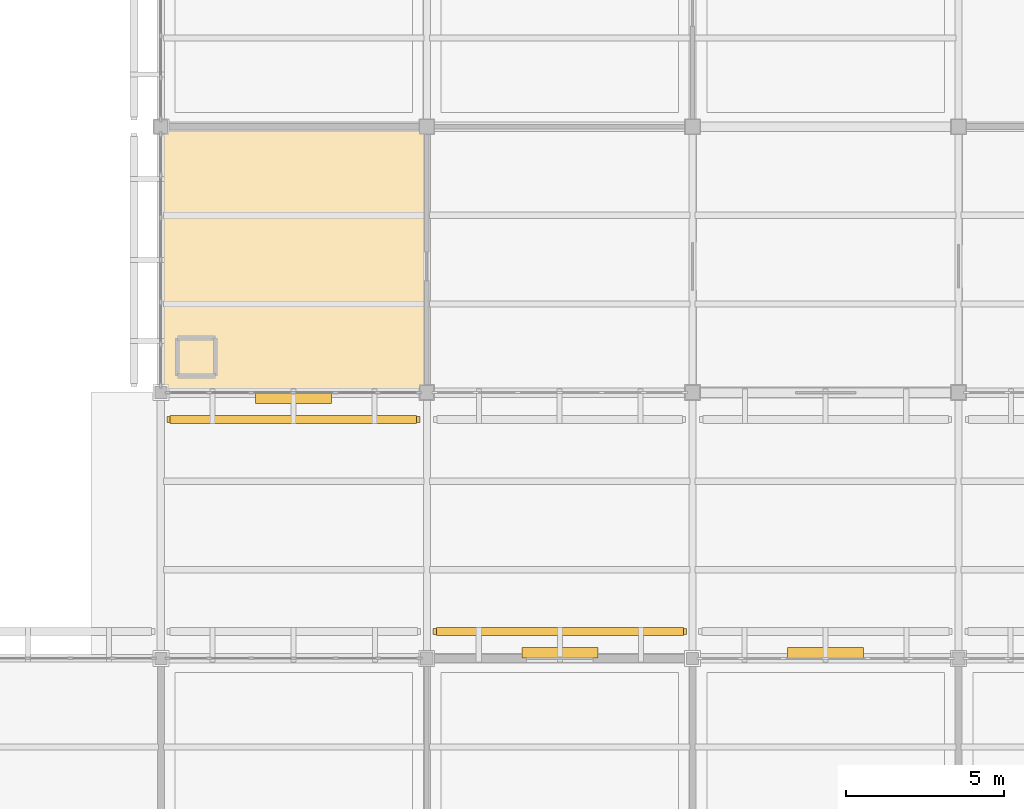
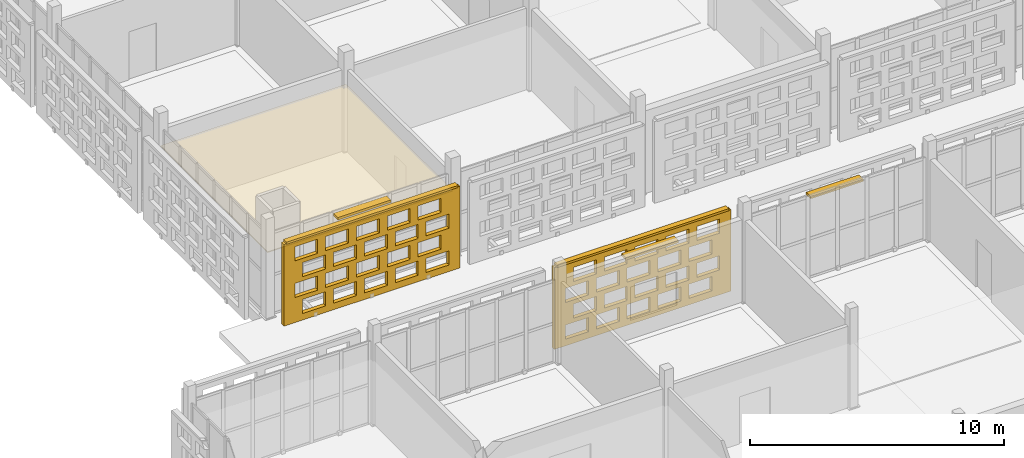
# One storey, part 190 of 203: 5 shading devices, 3 coverings, 40 openings.
"""IFC4 building model written with IfcOpenShell, lengths in metres."""

from ifc_helpers import new_model, si_unit, direction, frame, frame_2d, origin, origin_2d, place, context, subcontext, project, spatial, rectangle, extrude, material, layer, layer_set, type_object, element, save


model = new_model("IFC4")

# Units and contexts
model_context = context("Model", 3, precision=1e-05, world=origin(), true_north=direction((0.0, 1.0)))
body_context = subcontext(model_context, "Body", "Model", "MODEL_VIEW")
ifc_project = project(units=[si_unit("LENGTHUNIT", "METRE"), si_unit("AREAUNIT", "SQUARE_METRE"), si_unit("VOLUMEUNIT", "CUBIC_METRE"), si_unit("PLANEANGLEUNIT", "RADIAN"), si_unit("MASSUNIT", "GRAM", prefix="KILO")], contexts=[model_context])

# Site, building, storey
site_placement = place(None, origin())
site = spatial("IfcSite", under=ifc_project, at=site_placement, CompositionType="ELEMENT")
building_placement = place(site_placement, origin())
building = spatial("IfcBuilding", under=site, at=building_placement, Name="Varnapada Polytechnic", CompositionType="ELEMENT")
storey_placement = place(building_placement, frame((0.0, 0.0, 4.800048828125)))
storey = spatial("IfcBuildingStorey", under=building, at=storey_placement, Name="L01", CompositionType="ELEMENT", Elevation=4.800048828125)

# Shading devices
ifc_material_1 = material(Name="Anodised aluminium", Category="aluminium")
ifc_layer_1 = layer(ifc_material_1, 0.35009765625)
ifc_layer_set_1 = layer_set([ifc_layer_1], Name="Anodised aluminium")
shading_device_type_1 = type_object("IfcShadingDeviceType", Name="Solar Louvre LVR-01", PredefinedType="JALOUSIE", material=ifc_layer_set_1)
for number, where, z_axis, x_axis, name in (
    (1, (138.5849609375, 58.6201171875, 3.760009765625), (0.0, 0.0, 1.0), (-1.0, 0.0, 0.0), "L01 aluminium sun louvre 115"),
    (2, (147.0048828125, 50.580078125, 3.760009765625), (0.0, 0.0, 1.0), (1.0, 0.0, 0.0), "L01 aluminium sun louvre 121"),
    (3, (155.39501953125, 50.580078125, 3.760009765625), (0.0, 0.0, 1.0), (1.0, 0.0, 0.0), "L01 aluminium sun louvre 127"),
):
    element("IfcShadingDevice", number, at=place(storey_placement, frame(where, z_axis=z_axis, x_axis=x_axis)), inside=storey, type_object=shading_device_type_1, Name=name, PredefinedType="JALOUSIE", context=body_context, shape_type="SweptSolid", body=[
        extrude(rectangle(XDim=2.39990234375, YDim=0.340087890625, at=origin_2d()), origin(), (0.0, 0.0, 1.0), 0.1201171875),
    ])

# Covering
ifc_material_2 = material(Name="Micro-Perforated Gypsum Acoustic Ceiling")
ifc_layer_2 = layer(ifc_material_2, 0.044921875)
ifc_layer_set_2 = layer_set([ifc_layer_2], Name="Micro-Perforated Gypsum Acoustic Ceiling")
covering_type_1 = type_object("IfcCoveringType", Name="Suspended Ceiling CLG-04", PredefinedType="CEILING", material=ifc_layer_set_2)
covering_1_placement = place(storey_placement, frame((138.60009765625, 63.0, 3.027587890625), z_axis=(0.0, 0.0, 1.0), x_axis=(1.0, 0.0, 0.0)))
element("IfcCovering", 4, at=covering_1_placement, inside=storey, type_object=covering_type_1, Name="L01 suspended acoustic ceiling (17,8)", PredefinedType="CEILING", context=body_context, shape_type="SweptSolid", body=[
    extrude(rectangle(XDim=8.419921875, YDim=8.419921875, at=origin_2d()), origin(), (0.0, 0.0, 1.0), 0.044921875),
])

# Covering, openings
ifc_material_3 = material(Name="Earth-toned architectural terracotta screen block", Category="masonry")
ifc_layer_3 = layer(ifc_material_3, 0.1201171875)
ifc_layer_set_3 = layer_set([ifc_layer_3], Name="Earth-toned architectural terracotta screen block")
covering_type_2 = type_object("IfcCoveringType", Name="Terracotta Screen Cladding CLD-01", PredefinedType="CLADDING", material=ifc_layer_set_3)
covering_2_placement = place(storey_placement, frame((142.580078125, 57.949951171875, 0.0), z_axis=(0.0, 0.0, 1.0), x_axis=(-1.0, 0.0, 0.0)))
covering_2 = element("IfcCovering", 5, at=covering_2_placement, inside=storey, type_object=covering_type_2, Name="L01 perforated terracotta block screen (115)", PredefinedType="CLADDING", context=body_context, shape_type="SweptSolid", body=[
    extrude(rectangle(XDim=7.989990234375, YDim=0.179931640625, at=frame_2d((3.9951171875, 0.0))), origin(), (0.0, 0.0, 1.0), 3.919921875),
])
opening_1_placement = place(covering_2_placement, frame((0.4951171875, 0.0, 0.313720703125)))
element("IfcOpeningElement", 6, at=opening_1_placement, cuts=covering_2, Name="Screen perforation TBS-L01-114.1", PredefinedType="OPENING", context=body_context, shape_type="SweptSolid", body=[
    extrude(rectangle(XDim=1.0400390625, YDim=0.679931640625, at=frame_2d((0.52001953125, 0.33984375))), frame((0.0, 0.099853515625, 0.0), z_axis=(0.0, -1.0, 0.0), x_axis=(1.0, 0.0, 0.0)), (0.0, 0.0, 1.0), 0.199951171875),
])
opening_2_placement = place(covering_2_placement, frame((1.89501953125, 0.0, 0.313720703125)))
element("IfcOpeningElement", 7, at=opening_2_placement, cuts=covering_2, Name="Screen perforation TBS-L01-114.2", PredefinedType="OPENING", context=body_context, shape_type="SweptSolid", body=[
    extrude(rectangle(XDim=1.0400390625, YDim=0.679931640625, at=frame_2d((0.52001953125, 0.33984375))), frame((0.0, 0.099853515625, 0.0), z_axis=(0.0, -1.0, 0.0), x_axis=(1.0, 0.0, 0.0)), (0.0, 0.0, 1.0), 0.199951171875),
])
opening_3_placement = place(covering_2_placement, frame((3.294921875, 0.0, 0.313720703125)))
element("IfcOpeningElement", 8, at=opening_3_placement, cuts=covering_2, Name="Screen perforation TBS-L01-114.3", PredefinedType="OPENING", context=body_context, shape_type="SweptSolid", body=[
    extrude(rectangle(XDim=1.0400390625, YDim=0.679931640625, at=frame_2d((0.52001953125, 0.33984375))), frame((0.0, 0.099853515625, 0.0), z_axis=(0.0, -1.0, 0.0), x_axis=(1.0, 0.0, 0.0)), (0.0, 0.0, 1.0), 0.199951171875),
])
opening_4_placement = place(covering_2_placement, frame((4.695068359375, 0.0, 0.313720703125)))
element("IfcOpeningElement", 9, at=opening_4_placement, cuts=covering_2, Name="Screen perforation TBS-L01-114.4", PredefinedType="OPENING", context=body_context, shape_type="SweptSolid", body=[
    extrude(rectangle(XDim=1.0400390625, YDim=0.679931640625, at=frame_2d((0.52001953125, 0.33984375))), frame((0.0, 0.099853515625, 0.0), z_axis=(0.0, -1.0, 0.0), x_axis=(1.0, 0.0, 0.0)), (0.0, 0.0, 1.0), 0.199951171875),
])
opening_5_placement = place(covering_2_placement, frame((6.094970703125, 0.0, 0.313720703125)))
element("IfcOpeningElement", 10, at=opening_5_placement, cuts=covering_2, Name="Screen perforation TBS-L01-114.5", PredefinedType="OPENING", context=body_context, shape_type="SweptSolid", body=[
    extrude(rectangle(XDim=1.0400390625, YDim=0.679931640625, at=frame_2d((0.52001953125, 0.33984375))), frame((0.0, 0.099853515625, 0.0), z_axis=(0.0, -1.0, 0.0), x_axis=(1.0, 0.0, 0.0)), (0.0, 0.0, 1.0), 0.199951171875),
])
opening_6_placement = place(covering_2_placement, frame((0.85498046875, 0.0, 1.195556640625)))
element("IfcOpeningElement", 11, at=opening_6_placement, cuts=covering_2, Name="Screen perforation TBS-L01-114.6", PredefinedType="OPENING", context=body_context, shape_type="SweptSolid", body=[
    extrude(rectangle(XDim=1.0400390625, YDim=0.679931640625, at=frame_2d((0.52001953125, 0.33984375))), frame((0.0, 0.099853515625, 0.0), z_axis=(0.0, -1.0, 0.0), x_axis=(1.0, 0.0, 0.0)), (0.0, 0.0, 1.0), 0.199951171875),
])
opening_7_placement = place(covering_2_placement, frame((2.2548828125, 0.0, 1.195556640625)))
element("IfcOpeningElement", 12, at=opening_7_placement, cuts=covering_2, Name="Screen perforation TBS-L01-114.7", PredefinedType="OPENING", context=body_context, shape_type="SweptSolid", body=[
    extrude(rectangle(XDim=1.0400390625, YDim=0.679931640625, at=frame_2d((0.52001953125, 0.33984375))), frame((0.0, 0.099853515625, 0.0), z_axis=(0.0, -1.0, 0.0), x_axis=(1.0, 0.0, 0.0)), (0.0, 0.0, 1.0), 0.199951171875),
])
opening_8_placement = place(covering_2_placement, frame((3.655029296875, 0.0, 1.195556640625)))
element("IfcOpeningElement", 13, at=opening_8_placement, cuts=covering_2, Name="Screen perforation TBS-L01-114.8", PredefinedType="OPENING", context=body_context, shape_type="SweptSolid", body=[
    extrude(rectangle(XDim=1.0400390625, YDim=0.679931640625, at=frame_2d((0.52001953125, 0.33984375))), frame((0.0, 0.099853515625, 0.0), z_axis=(0.0, -1.0, 0.0), x_axis=(1.0, 0.0, 0.0)), (0.0, 0.0, 1.0), 0.199951171875),
])
opening_9_placement = place(covering_2_placement, frame((5.054931640625, 0.0, 1.195556640625)))
element("IfcOpeningElement", 14, at=opening_9_placement, cuts=covering_2, Name="Screen perforation TBS-L01-114.9", PredefinedType="OPENING", context=body_context, shape_type="SweptSolid", body=[
    extrude(rectangle(XDim=1.0400390625, YDim=0.679931640625, at=frame_2d((0.52001953125, 0.33984375))), frame((0.0, 0.099853515625, 0.0), z_axis=(0.0, -1.0, 0.0), x_axis=(1.0, 0.0, 0.0)), (0.0, 0.0, 1.0), 0.199951171875),
])
opening_10_placement = place(covering_2_placement, frame((6.455078125, 0.0, 1.195556640625)))
element("IfcOpeningElement", 15, at=opening_10_placement, cuts=covering_2, Name="Screen perforation TBS-L01-114.10", PredefinedType="OPENING", context=body_context, shape_type="SweptSolid", body=[
    extrude(rectangle(XDim=1.0400390625, YDim=0.679931640625, at=frame_2d((0.52001953125, 0.33984375))), frame((0.0, 0.099853515625, 0.0), z_axis=(0.0, -1.0, 0.0), x_axis=(1.0, 0.0, 0.0)), (0.0, 0.0, 1.0), 0.199951171875),
])
opening_11_placement = place(covering_2_placement, frame((0.4951171875, 0.0, 2.07763671875)))
element("IfcOpeningElement", 16, at=opening_11_placement, cuts=covering_2, Name="Screen perforation TBS-L01-114.11", PredefinedType="OPENING", context=body_context, shape_type="SweptSolid", body=[
    extrude(rectangle(XDim=1.0400390625, YDim=0.679931640625, at=frame_2d((0.52001953125, 0.33984375))), frame((0.0, 0.099853515625, 0.0), z_axis=(0.0, -1.0, 0.0), x_axis=(1.0, 0.0, 0.0)), (0.0, 0.0, 1.0), 0.199951171875),
])
opening_12_placement = place(covering_2_placement, frame((1.89501953125, 0.0, 2.07763671875)))
element("IfcOpeningElement", 17, at=opening_12_placement, cuts=covering_2, Name="Screen perforation TBS-L01-114.12", PredefinedType="OPENING", context=body_context, shape_type="SweptSolid", body=[
    extrude(rectangle(XDim=1.0400390625, YDim=0.679931640625, at=frame_2d((0.52001953125, 0.33984375))), frame((0.0, 0.099853515625, 0.0), z_axis=(0.0, -1.0, 0.0), x_axis=(1.0, 0.0, 0.0)), (0.0, 0.0, 1.0), 0.199951171875),
])
opening_13_placement = place(covering_2_placement, frame((3.294921875, 0.0, 2.07763671875)))
element("IfcOpeningElement", 18, at=opening_13_placement, cuts=covering_2, Name="Screen perforation TBS-L01-114.13", PredefinedType="OPENING", context=body_context, shape_type="SweptSolid", body=[
    extrude(rectangle(XDim=1.0400390625, YDim=0.679931640625, at=frame_2d((0.52001953125, 0.33984375))), frame((0.0, 0.099853515625, 0.0), z_axis=(0.0, -1.0, 0.0), x_axis=(1.0, 0.0, 0.0)), (0.0, 0.0, 1.0), 0.199951171875),
])
opening_14_placement = place(covering_2_placement, frame((4.695068359375, 0.0, 2.07763671875)))
element("IfcOpeningElement", 19, at=opening_14_placement, cuts=covering_2, Name="Screen perforation TBS-L01-114.14", PredefinedType="OPENING", context=body_context, shape_type="SweptSolid", body=[
    extrude(rectangle(XDim=1.0400390625, YDim=0.679931640625, at=frame_2d((0.52001953125, 0.33984375))), frame((0.0, 0.099853515625, 0.0), z_axis=(0.0, -1.0, 0.0), x_axis=(1.0, 0.0, 0.0)), (0.0, 0.0, 1.0), 0.199951171875),
])
opening_15_placement = place(covering_2_placement, frame((6.094970703125, 0.0, 2.07763671875)))
element("IfcOpeningElement", 20, at=opening_15_placement, cuts=covering_2, Name="Screen perforation TBS-L01-114.15", PredefinedType="OPENING", context=body_context, shape_type="SweptSolid", body=[
    extrude(rectangle(XDim=1.0400390625, YDim=0.679931640625, at=frame_2d((0.52001953125, 0.33984375))), frame((0.0, 0.099853515625, 0.0), z_axis=(0.0, -1.0, 0.0), x_axis=(1.0, 0.0, 0.0)), (0.0, 0.0, 1.0), 0.199951171875),
])
opening_16_placement = place(covering_2_placement, frame((0.85498046875, 0.0, 2.959716796875)))
element("IfcOpeningElement", 21, at=opening_16_placement, cuts=covering_2, Name="Screen perforation TBS-L01-114.16", PredefinedType="OPENING", context=body_context, shape_type="SweptSolid", body=[
    extrude(rectangle(XDim=1.0400390625, YDim=0.679931640625, at=frame_2d((0.52001953125, 0.33984375))), frame((0.0, 0.099853515625, 0.0), z_axis=(0.0, -1.0, 0.0), x_axis=(1.0, 0.0, 0.0)), (0.0, 0.0, 1.0), 0.199951171875),
])
opening_17_placement = place(covering_2_placement, frame((2.2548828125, 0.0, 2.959716796875)))
element("IfcOpeningElement", 22, at=opening_17_placement, cuts=covering_2, Name="Screen perforation TBS-L01-114.17", PredefinedType="OPENING", context=body_context, shape_type="SweptSolid", body=[
    extrude(rectangle(XDim=1.0400390625, YDim=0.679931640625, at=frame_2d((0.52001953125, 0.33984375))), frame((0.0, 0.099853515625, 0.0), z_axis=(0.0, -1.0, 0.0), x_axis=(1.0, 0.0, 0.0)), (0.0, 0.0, 1.0), 0.199951171875),
])
opening_18_placement = place(covering_2_placement, frame((3.655029296875, 0.0, 2.959716796875)))
element("IfcOpeningElement", 23, at=opening_18_placement, cuts=covering_2, Name="Screen perforation TBS-L01-114.18", PredefinedType="OPENING", context=body_context, shape_type="SweptSolid", body=[
    extrude(rectangle(XDim=1.0400390625, YDim=0.679931640625, at=frame_2d((0.52001953125, 0.33984375))), frame((0.0, 0.099853515625, 0.0), z_axis=(0.0, -1.0, 0.0), x_axis=(1.0, 0.0, 0.0)), (0.0, 0.0, 1.0), 0.199951171875),
])
opening_19_placement = place(covering_2_placement, frame((5.054931640625, 0.0, 2.959716796875)))
element("IfcOpeningElement", 24, at=opening_19_placement, cuts=covering_2, Name="Screen perforation TBS-L01-114.19", PredefinedType="OPENING", context=body_context, shape_type="SweptSolid", body=[
    extrude(rectangle(XDim=1.0400390625, YDim=0.679931640625, at=frame_2d((0.52001953125, 0.33984375))), frame((0.0, 0.099853515625, 0.0), z_axis=(0.0, -1.0, 0.0), x_axis=(1.0, 0.0, 0.0)), (0.0, 0.0, 1.0), 0.199951171875),
])
opening_20_placement = place(covering_2_placement, frame((6.455078125, 0.0, 2.959716796875)))
element("IfcOpeningElement", 25, at=opening_20_placement, cuts=covering_2, Name="Screen perforation TBS-L01-114.20", PredefinedType="OPENING", context=body_context, shape_type="SweptSolid", body=[
    extrude(rectangle(XDim=1.0400390625, YDim=0.679931640625, at=frame_2d((0.52001953125, 0.33984375))), frame((0.0, 0.099853515625, 0.0), z_axis=(0.0, -1.0, 0.0), x_axis=(1.0, 0.0, 0.0)), (0.0, 0.0, 1.0), 0.199951171875),
])

covering_3_placement = place(storey_placement, frame((143.0, 51.25, 0.0), z_axis=(0.0, 0.0, 1.0), x_axis=(1.0, 0.0, 0.0)))
covering_3 = element("IfcCovering", 26, at=covering_3_placement, inside=storey, type_object=covering_type_2, Name="L01 perforated terracotta block screen (121)", PredefinedType="CLADDING", context=body_context, shape_type="SweptSolid", body=[
    extrude(rectangle(XDim=8.010009765625, YDim=0.179931640625, at=frame_2d((4.0048828125, 0.0))), origin(), (0.0, 0.0, 1.0), 3.919921875),
])
opening_21_placement = place(covering_3_placement, frame((0.5048828125, 0.0, 0.313720703125)))
element("IfcOpeningElement", 27, at=opening_21_placement, cuts=covering_3, Name="Screen perforation TBS-L01-120.1", PredefinedType="OPENING", context=body_context, shape_type="SweptSolid", body=[
    extrude(rectangle(XDim=1.0400390625, YDim=0.679931640625, at=frame_2d((0.52001953125, 0.33984375))), frame((0.0, 0.099853515625, 0.0), z_axis=(0.0, -1.0, 0.0), x_axis=(1.0, 0.0, 0.0)), (0.0, 0.0, 1.0), 0.199951171875),
])
opening_22_placement = place(covering_3_placement, frame((1.905029296875, 0.0, 0.313720703125)))
element("IfcOpeningElement", 28, at=opening_22_placement, cuts=covering_3, Name="Screen perforation TBS-L01-120.2", PredefinedType="OPENING", context=body_context, shape_type="SweptSolid", body=[
    extrude(rectangle(XDim=1.0400390625, YDim=0.679931640625, at=frame_2d((0.52001953125, 0.33984375))), frame((0.0, 0.099853515625, 0.0), z_axis=(0.0, -1.0, 0.0), x_axis=(1.0, 0.0, 0.0)), (0.0, 0.0, 1.0), 0.199951171875),
])
opening_23_placement = place(covering_3_placement, frame((3.304931640625, 0.0, 0.313720703125)))
element("IfcOpeningElement", 29, at=opening_23_placement, cuts=covering_3, Name="Screen perforation TBS-L01-120.3", PredefinedType="OPENING", context=body_context, shape_type="SweptSolid", body=[
    extrude(rectangle(XDim=1.0400390625, YDim=0.679931640625, at=frame_2d((0.52001953125, 0.33984375))), frame((0.0, 0.099853515625, 0.0), z_axis=(0.0, -1.0, 0.0), x_axis=(1.0, 0.0, 0.0)), (0.0, 0.0, 1.0), 0.199951171875),
])
opening_24_placement = place(covering_3_placement, frame((4.705078125, 0.0, 0.313720703125)))
element("IfcOpeningElement", 30, at=opening_24_placement, cuts=covering_3, Name="Screen perforation TBS-L01-120.4", PredefinedType="OPENING", context=body_context, shape_type="SweptSolid", body=[
    extrude(rectangle(XDim=1.0400390625, YDim=0.679931640625, at=frame_2d((0.52001953125, 0.33984375))), frame((0.0, 0.099853515625, 0.0), z_axis=(0.0, -1.0, 0.0), x_axis=(1.0, 0.0, 0.0)), (0.0, 0.0, 1.0), 0.199951171875),
])
opening_25_placement = place(covering_3_placement, frame((6.10498046875, 0.0, 0.313720703125)))
element("IfcOpeningElement", 31, at=opening_25_placement, cuts=covering_3, Name="Screen perforation TBS-L01-120.5", PredefinedType="OPENING", context=body_context, shape_type="SweptSolid", body=[
    extrude(rectangle(XDim=1.0400390625, YDim=0.679931640625, at=frame_2d((0.52001953125, 0.33984375))), frame((0.0, 0.099853515625, 0.0), z_axis=(0.0, -1.0, 0.0), x_axis=(1.0, 0.0, 0.0)), (0.0, 0.0, 1.0), 0.199951171875),
])
opening_26_placement = place(covering_3_placement, frame((0.864990234375, 0.0, 1.195556640625)))
element("IfcOpeningElement", 32, at=opening_26_placement, cuts=covering_3, Name="Screen perforation TBS-L01-120.6", PredefinedType="OPENING", context=body_context, shape_type="SweptSolid", body=[
    extrude(rectangle(XDim=1.0400390625, YDim=0.679931640625, at=frame_2d((0.52001953125, 0.33984375))), frame((0.0, 0.099853515625, 0.0), z_axis=(0.0, -1.0, 0.0), x_axis=(1.0, 0.0, 0.0)), (0.0, 0.0, 1.0), 0.199951171875),
])
opening_27_placement = place(covering_3_placement, frame((2.264892578125, 0.0, 1.195556640625)))
element("IfcOpeningElement", 33, at=opening_27_placement, cuts=covering_3, Name="Screen perforation TBS-L01-120.7", PredefinedType="OPENING", context=body_context, shape_type="SweptSolid", body=[
    extrude(rectangle(XDim=1.0400390625, YDim=0.679931640625, at=frame_2d((0.52001953125, 0.33984375))), frame((0.0, 0.099853515625, 0.0), z_axis=(0.0, -1.0, 0.0), x_axis=(1.0, 0.0, 0.0)), (0.0, 0.0, 1.0), 0.199951171875),
])
opening_28_placement = place(covering_3_placement, frame((3.6650390625, 0.0, 1.195556640625)))
element("IfcOpeningElement", 34, at=opening_28_placement, cuts=covering_3, Name="Screen perforation TBS-L01-120.8", PredefinedType="OPENING", context=body_context, shape_type="SweptSolid", body=[
    extrude(rectangle(XDim=1.0400390625, YDim=0.679931640625, at=frame_2d((0.52001953125, 0.33984375))), frame((0.0, 0.099853515625, 0.0), z_axis=(0.0, -1.0, 0.0), x_axis=(1.0, 0.0, 0.0)), (0.0, 0.0, 1.0), 0.199951171875),
])
opening_29_placement = place(covering_3_placement, frame((5.06494140625, 0.0, 1.195556640625)))
element("IfcOpeningElement", 35, at=opening_29_placement, cuts=covering_3, Name="Screen perforation TBS-L01-120.9", PredefinedType="OPENING", context=body_context, shape_type="SweptSolid", body=[
    extrude(rectangle(XDim=1.0400390625, YDim=0.679931640625, at=frame_2d((0.52001953125, 0.33984375))), frame((0.0, 0.099853515625, 0.0), z_axis=(0.0, -1.0, 0.0), x_axis=(1.0, 0.0, 0.0)), (0.0, 0.0, 1.0), 0.199951171875),
])
opening_30_placement = place(covering_3_placement, frame((6.465087890625, 0.0, 1.195556640625)))
element("IfcOpeningElement", 36, at=opening_30_placement, cuts=covering_3, Name="Screen perforation TBS-L01-120.10", PredefinedType="OPENING", context=body_context, shape_type="SweptSolid", body=[
    extrude(rectangle(XDim=1.0400390625, YDim=0.679931640625, at=frame_2d((0.52001953125, 0.33984375))), frame((0.0, 0.099853515625, 0.0), z_axis=(0.0, -1.0, 0.0), x_axis=(1.0, 0.0, 0.0)), (0.0, 0.0, 1.0), 0.199951171875),
])
opening_31_placement = place(covering_3_placement, frame((0.5048828125, 0.0, 2.07763671875)))
element("IfcOpeningElement", 37, at=opening_31_placement, cuts=covering_3, Name="Screen perforation TBS-L01-120.11", PredefinedType="OPENING", context=body_context, shape_type="SweptSolid", body=[
    extrude(rectangle(XDim=1.0400390625, YDim=0.679931640625, at=frame_2d((0.52001953125, 0.33984375))), frame((0.0, 0.099853515625, 0.0), z_axis=(0.0, -1.0, 0.0), x_axis=(1.0, 0.0, 0.0)), (0.0, 0.0, 1.0), 0.199951171875),
])
opening_32_placement = place(covering_3_placement, frame((1.905029296875, 0.0, 2.07763671875)))
element("IfcOpeningElement", 38, at=opening_32_placement, cuts=covering_3, Name="Screen perforation TBS-L01-120.12", PredefinedType="OPENING", context=body_context, shape_type="SweptSolid", body=[
    extrude(rectangle(XDim=1.0400390625, YDim=0.679931640625, at=frame_2d((0.52001953125, 0.33984375))), frame((0.0, 0.099853515625, 0.0), z_axis=(0.0, -1.0, 0.0), x_axis=(1.0, 0.0, 0.0)), (0.0, 0.0, 1.0), 0.199951171875),
])
opening_33_placement = place(covering_3_placement, frame((3.304931640625, 0.0, 2.07763671875)))
element("IfcOpeningElement", 39, at=opening_33_placement, cuts=covering_3, Name="Screen perforation TBS-L01-120.13", PredefinedType="OPENING", context=body_context, shape_type="SweptSolid", body=[
    extrude(rectangle(XDim=1.0400390625, YDim=0.679931640625, at=frame_2d((0.52001953125, 0.33984375))), frame((0.0, 0.099853515625, 0.0), z_axis=(0.0, -1.0, 0.0), x_axis=(1.0, 0.0, 0.0)), (0.0, 0.0, 1.0), 0.199951171875),
])
opening_34_placement = place(covering_3_placement, frame((4.705078125, 0.0, 2.07763671875)))
element("IfcOpeningElement", 40, at=opening_34_placement, cuts=covering_3, Name="Screen perforation TBS-L01-120.14", PredefinedType="OPENING", context=body_context, shape_type="SweptSolid", body=[
    extrude(rectangle(XDim=1.0400390625, YDim=0.679931640625, at=frame_2d((0.52001953125, 0.33984375))), frame((0.0, 0.099853515625, 0.0), z_axis=(0.0, -1.0, 0.0), x_axis=(1.0, 0.0, 0.0)), (0.0, 0.0, 1.0), 0.199951171875),
])
opening_35_placement = place(covering_3_placement, frame((6.10498046875, 0.0, 2.07763671875)))
element("IfcOpeningElement", 41, at=opening_35_placement, cuts=covering_3, Name="Screen perforation TBS-L01-120.15", PredefinedType="OPENING", context=body_context, shape_type="SweptSolid", body=[
    extrude(rectangle(XDim=1.0400390625, YDim=0.679931640625, at=frame_2d((0.52001953125, 0.33984375))), frame((0.0, 0.099853515625, 0.0), z_axis=(0.0, -1.0, 0.0), x_axis=(1.0, 0.0, 0.0)), (0.0, 0.0, 1.0), 0.199951171875),
])
opening_36_placement = place(covering_3_placement, frame((0.864990234375, 0.0, 2.959716796875)))
element("IfcOpeningElement", 42, at=opening_36_placement, cuts=covering_3, Name="Screen perforation TBS-L01-120.16", PredefinedType="OPENING", context=body_context, shape_type="SweptSolid", body=[
    extrude(rectangle(XDim=1.0400390625, YDim=0.679931640625, at=frame_2d((0.52001953125, 0.33984375))), frame((0.0, 0.099853515625, 0.0), z_axis=(0.0, -1.0, 0.0), x_axis=(1.0, 0.0, 0.0)), (0.0, 0.0, 1.0), 0.199951171875),
])
opening_37_placement = place(covering_3_placement, frame((2.264892578125, 0.0, 2.959716796875)))
element("IfcOpeningElement", 43, at=opening_37_placement, cuts=covering_3, Name="Screen perforation TBS-L01-120.17", PredefinedType="OPENING", context=body_context, shape_type="SweptSolid", body=[
    extrude(rectangle(XDim=1.0400390625, YDim=0.679931640625, at=frame_2d((0.52001953125, 0.33984375))), frame((0.0, 0.099853515625, 0.0), z_axis=(0.0, -1.0, 0.0), x_axis=(1.0, 0.0, 0.0)), (0.0, 0.0, 1.0), 0.199951171875),
])
opening_38_placement = place(covering_3_placement, frame((3.6650390625, 0.0, 2.959716796875)))
element("IfcOpeningElement", 44, at=opening_38_placement, cuts=covering_3, Name="Screen perforation TBS-L01-120.18", PredefinedType="OPENING", context=body_context, shape_type="SweptSolid", body=[
    extrude(rectangle(XDim=1.0400390625, YDim=0.679931640625, at=frame_2d((0.52001953125, 0.33984375))), frame((0.0, 0.099853515625, 0.0), z_axis=(0.0, -1.0, 0.0), x_axis=(1.0, 0.0, 0.0)), (0.0, 0.0, 1.0), 0.199951171875),
])
opening_39_placement = place(covering_3_placement, frame((5.06494140625, 0.0, 2.959716796875)))
element("IfcOpeningElement", 45, at=opening_39_placement, cuts=covering_3, Name="Screen perforation TBS-L01-120.19", PredefinedType="OPENING", context=body_context, shape_type="SweptSolid", body=[
    extrude(rectangle(XDim=1.0400390625, YDim=0.679931640625, at=frame_2d((0.52001953125, 0.33984375))), frame((0.0, 0.099853515625, 0.0), z_axis=(0.0, -1.0, 0.0), x_axis=(1.0, 0.0, 0.0)), (0.0, 0.0, 1.0), 0.199951171875),
])
opening_40_placement = place(covering_3_placement, frame((6.465087890625, 0.0, 2.959716796875)))
element("IfcOpeningElement", 46, at=opening_40_placement, cuts=covering_3, Name="Screen perforation TBS-L01-120.20", PredefinedType="OPENING", context=body_context, shape_type="SweptSolid", body=[
    extrude(rectangle(XDim=1.0400390625, YDim=0.679931640625, at=frame_2d((0.52001953125, 0.33984375))), frame((0.0, 0.099853515625, 0.0), z_axis=(0.0, -1.0, 0.0), x_axis=(1.0, 0.0, 0.0)), (0.0, 0.0, 1.0), 0.199951171875),
])

# Shading devices
ifc_layer_4 = layer(ifc_material_3, 0.179931640625)
ifc_layer_set_4 = layer_set([ifc_layer_4], Name="Earth-toned architectural terracotta screen block")
shading_device_type_2 = type_object("IfcShadingDeviceType", Name="Terracotta Screen SCR-02", PredefinedType="USERDEFINED", material=ifc_layer_set_4)
shading_device_1_placement = place(storey_placement, frame((138.5849609375, 57.949951171875, 3.909912109375), z_axis=(0.0, 0.0, 1.0), x_axis=(-1.0, 0.0, 0.0)))
element("IfcShadingDevice", 47, at=shading_device_1_placement, inside=storey, type_object=shading_device_type_2, Name="L01 perforated terracotta screen hood 193", ObjectType="SCREEN", PredefinedType="USERDEFINED", context=body_context, shape_type="SweptSolid", body=[
    extrude(rectangle(XDim=7.7900390625, YDim=0.239990234375, at=origin_2d()), origin(), (0.0, 0.0, 1.0), 0.10009765625),
])
shading_device_2_placement = place(storey_placement, frame((147.0048828125, 51.25, 3.909912109375), z_axis=(0.0, 0.0, 1.0), x_axis=(1.0, 0.0, 0.0)))
element("IfcShadingDevice", 48, at=shading_device_2_placement, inside=storey, type_object=shading_device_type_2, Name="L01 perforated terracotta screen hood 199", ObjectType="SCREEN", PredefinedType="USERDEFINED", context=body_context, shape_type="SweptSolid", body=[
    extrude(rectangle(XDim=7.81005859375, YDim=0.239990234375, at=origin_2d()), origin(), (0.0, 0.0, 1.0), 0.10009765625),
])

save(model, "model.ifc")
